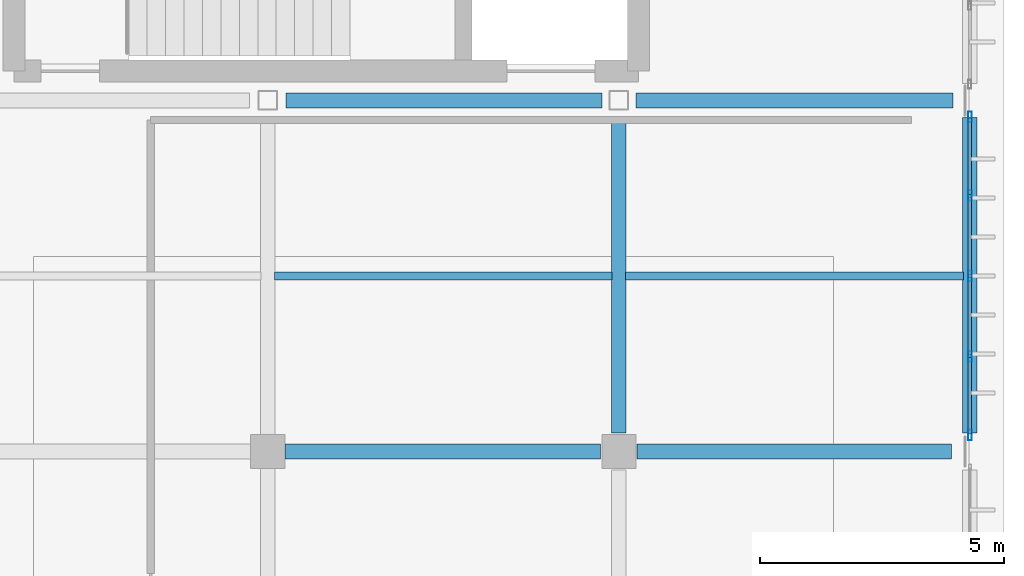
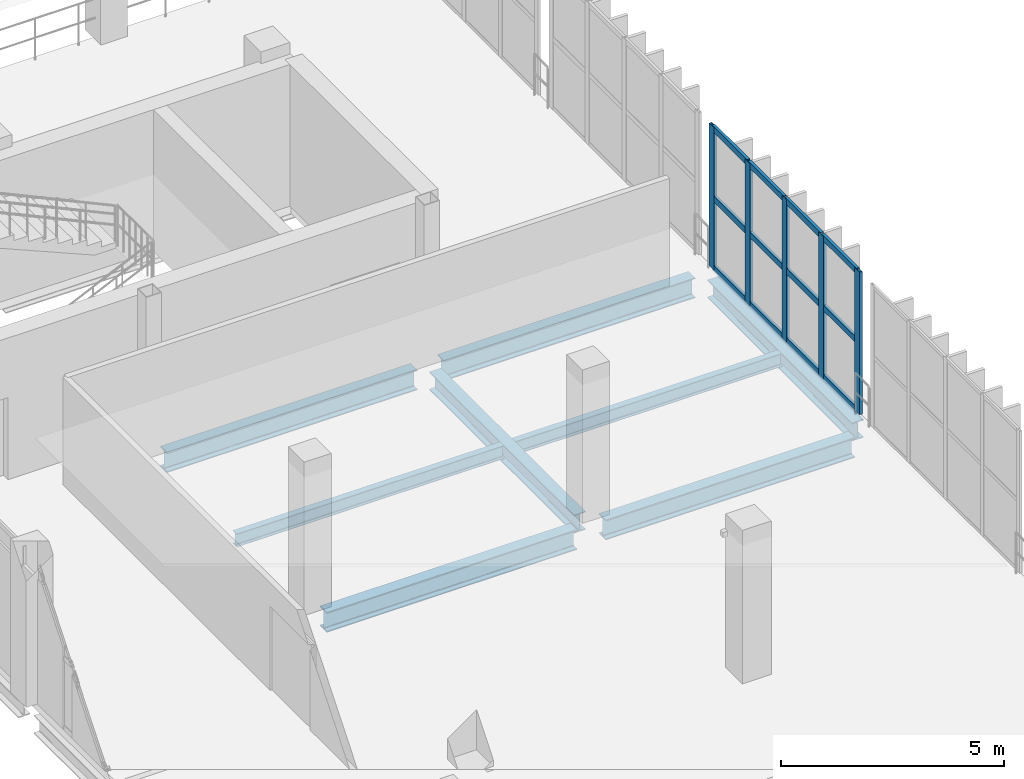
# One storey, part 80 of 130: 17 members, 8 beams, 1 element without a shape of its own.
"""IFC4 building model written with IfcOpenShell, lengths in metres."""

from ifc_helpers import new_model, si_unit, direction, frame, origin, origin_2d, place, context, subcontext, project, spatial, hollow_rectangle, i_section, extrude, material, material_profile, profile_set, type_object, element, aggregate, save


model = new_model("IFC4")

# Units and contexts
model_context = context("Model", 3, precision=1e-05, world=origin(), true_north=direction((0.0, 1.0)))
body_context = subcontext(model_context, "Body", "Model", "MODEL_VIEW")
ifc_project = project(units=[si_unit("LENGTHUNIT", "METRE"), si_unit("AREAUNIT", "SQUARE_METRE"), si_unit("VOLUMEUNIT", "CUBIC_METRE"), si_unit("PLANEANGLEUNIT", "RADIAN"), si_unit("MASSUNIT", "GRAM", prefix="KILO")], contexts=[model_context])

# Site, building, storey
site_placement = place(None, origin())
site = spatial("IfcSite", under=ifc_project, at=site_placement, CompositionType="ELEMENT")
building_placement = place(site_placement, origin())
building = spatial("IfcBuilding", under=site, at=building_placement, Name="Qandorah Velis Arena", CompositionType="ELEMENT")
storey_placement = place(building_placement, frame((0.0, 0.0, 9.60009765625)))
storey = spatial("IfcBuildingStorey", under=building, at=storey_placement, Name="L02", CompositionType="ELEMENT", Elevation=9.60009765625)

# Curtain wall, members
ifc_material_1 = material(Name="Solar-control low-E double glazing", Category="glass")
curtain_wall_type = type_object("IfcCurtainWallType", Name="ARC-CW-SYS05", PredefinedType="USERDEFINED", material=ifc_material_1)
curtain_wall_placement = place(storey_placement, origin())
curtain_wall = element("IfcCurtainWall", 1, at=curtain_wall_placement, inside=storey, type_object=curtain_wall_type, Name="Unitised curtain wall L02-149", ObjectType="UNITISED CURTAIN WALL", PredefinedType="USERDEFINED")
ifc_material_2 = material(Name="Champagne-bronze anodized aluminium 6063-T6", Category="aluminium")
ifc_material_profile_1 = material_profile(ifc_material_2, hollow_rectangle(XDim=0.074951171875, YDim=0.219970703125, WallThickness=0.00390625, at=origin_2d()), Name="ALU MULLION 75x220")
ifc_profile_set_1 = profile_set([ifc_material_profile_1], Name="Champagne-bronze anodized aluminium 6063-T6")
member_type_1 = type_object("IfcMemberType", Name="ARC-CWM-220", PredefinedType="MULLION", material=ifc_profile_set_1)
member_1_placement = place(storey_placement, frame((172.800048828125, 72.33740234375, -0.01513671875), z_axis=(0.0, 0.0, 1.0), x_axis=(-1.0, 0.0, 0.0)))
member_1 = element("IfcMember", 2, at=member_1_placement, type_object=member_type_1, Name="CW05 mullion 1", PredefinedType="MULLION", context=body_context, shape_type="SweptSolid", body=[
    extrude(hollow_rectangle(XDim=0.074951171875, YDim=0.219970703125, WallThickness=0.00390625, at=origin_2d()), origin(), (0.0, 0.0, 1.0), 3.91015625),
])
member_2_placement = place(storey_placement, frame((172.800048828125, 73.949951171875, -0.01513671875), z_axis=(0.0, 0.0, 1.0), x_axis=(-1.0, 0.0, 0.0)))
member_2 = element("IfcMember", 3, at=member_2_placement, type_object=member_type_1, Name="CW05 mullion 2", PredefinedType="MULLION", context=body_context, shape_type="SweptSolid", body=[
    extrude(hollow_rectangle(XDim=0.074951171875, YDim=0.219970703125, WallThickness=0.00390625, at=origin_2d()), origin(), (0.0, 0.0, 1.0), 3.91015625),
])
member_3_placement = place(storey_placement, frame((172.800048828125, 75.60009765625, -0.01513671875), z_axis=(0.0, 0.0, 1.0), x_axis=(-1.0, 0.0, 0.0)))
member_3 = element("IfcMember", 4, at=member_3_placement, type_object=member_type_1, Name="CW05 mullion 3", PredefinedType="MULLION", context=body_context, shape_type="SweptSolid", body=[
    extrude(hollow_rectangle(XDim=0.074951171875, YDim=0.219970703125, WallThickness=0.00390625, at=origin_2d()), origin(), (0.0, 0.0, 1.0), 3.91015625),
])
member_4_placement = place(storey_placement, frame((172.800048828125, 77.25, -0.01513671875), z_axis=(0.0, 0.0, 1.0), x_axis=(-1.0, 0.0, 0.0)))
member_4 = element("IfcMember", 5, at=member_4_placement, type_object=member_type_1, Name="CW05 mullion 4", PredefinedType="MULLION", context=body_context, shape_type="SweptSolid", body=[
    extrude(hollow_rectangle(XDim=0.074951171875, YDim=0.219970703125, WallThickness=0.00390625, at=origin_2d()), origin(), (0.0, 0.0, 1.0), 3.91015625),
])
member_5_placement = place(storey_placement, frame((172.800048828125, 78.862548828125, -0.01513671875), z_axis=(0.0, 0.0, 1.0), x_axis=(-1.0, 0.0, 0.0)))
member_5 = element("IfcMember", 6, at=member_5_placement, type_object=member_type_1, Name="CW05 mullion 5", PredefinedType="MULLION", context=body_context, shape_type="SweptSolid", body=[
    extrude(hollow_rectangle(XDim=0.074951171875, YDim=0.219970703125, WallThickness=0.00390625, at=origin_2d()), origin(), (0.0, 0.0, 1.0), 3.91015625),
])
ifc_material_profile_2 = material_profile(ifc_material_2, hollow_rectangle(XDim=0.074951171875, YDim=0.159912109375, WallThickness=0.00341796875, at=origin_2d()), Name="ALU TRANSOM 75x160")
ifc_profile_set_2 = profile_set([ifc_material_profile_2], Name="Champagne-bronze anodized aluminium 6063-T6")
member_type_2 = type_object("IfcMemberType", Name="ARC-CWT-160", PredefinedType="USERDEFINED", material=ifc_profile_set_2)
member_6_placement = place(storey_placement, frame((172.800048828125, 72.363037109375, 0.037353515625), z_axis=(0.0, 1.0, 0.0), x_axis=(-1.0, 0.0, 0.0)))
member_6 = element("IfcMember", 7, at=member_6_placement, type_object=member_type_2, Name="CW05 transom 1.1", ObjectType="TRANSOM", PredefinedType="USERDEFINED", context=body_context, shape_type="SweptSolid", body=[
    extrude(hollow_rectangle(XDim=0.074951171875, YDim=0.159912109375, WallThickness=0.00341796875, at=origin_2d()), origin(), (0.0, 0.0, 1.0), 1.5615234375),
])
member_7_placement = place(storey_placement, frame((172.800048828125, 72.363037109375, 1.93994140625), z_axis=(0.0, 1.0, 0.0), x_axis=(-1.0, 0.0, 0.0)))
member_7 = element("IfcMember", 8, at=member_7_placement, type_object=member_type_2, Name="CW05 transom 1.2", ObjectType="TRANSOM", PredefinedType="USERDEFINED", context=body_context, shape_type="SweptSolid", body=[
    extrude(hollow_rectangle(XDim=0.074951171875, YDim=0.159912109375, WallThickness=0.00341796875, at=origin_2d()), origin(), (0.0, 0.0, 1.0), 1.5615234375),
])
member_8_placement = place(storey_placement, frame((172.800048828125, 72.363037109375, 3.84228515625), z_axis=(0.0, 1.0, 0.0), x_axis=(-1.0, 0.0, 0.0)))
member_8 = element("IfcMember", 9, at=member_8_placement, type_object=member_type_2, Name="CW05 transom 1.3", ObjectType="TRANSOM", PredefinedType="USERDEFINED", context=body_context, shape_type="SweptSolid", body=[
    extrude(hollow_rectangle(XDim=0.074951171875, YDim=0.159912109375, WallThickness=0.00341796875, at=origin_2d()), origin(), (0.0, 0.0, 1.0), 1.5615234375),
])
member_9_placement = place(storey_placement, frame((172.800048828125, 73.9755859375, 0.037353515625), z_axis=(0.0, 1.0, 0.0), x_axis=(-1.0, 0.0, 0.0)))
member_9 = element("IfcMember", 10, at=member_9_placement, type_object=member_type_2, Name="CW05 transom 2.1", ObjectType="TRANSOM", PredefinedType="USERDEFINED", context=body_context, shape_type="SweptSolid", body=[
    extrude(hollow_rectangle(XDim=0.074951171875, YDim=0.159912109375, WallThickness=0.00341796875, at=origin_2d()), origin(), (0.0, 0.0, 1.0), 1.598876953125),
])
member_10_placement = place(storey_placement, frame((172.800048828125, 73.9755859375, 1.93994140625), z_axis=(0.0, 1.0, 0.0), x_axis=(-1.0, 0.0, 0.0)))
member_10 = element("IfcMember", 11, at=member_10_placement, type_object=member_type_2, Name="CW05 transom 2.2", ObjectType="TRANSOM", PredefinedType="USERDEFINED", context=body_context, shape_type="SweptSolid", body=[
    extrude(hollow_rectangle(XDim=0.074951171875, YDim=0.159912109375, WallThickness=0.00341796875, at=origin_2d()), origin(), (0.0, 0.0, 1.0), 1.598876953125),
])
member_11_placement = place(storey_placement, frame((172.800048828125, 73.9755859375, 3.84228515625), z_axis=(0.0, 1.0, 0.0), x_axis=(-1.0, 0.0, 0.0)))
member_11 = element("IfcMember", 12, at=member_11_placement, type_object=member_type_2, Name="CW05 transom 2.3", ObjectType="TRANSOM", PredefinedType="USERDEFINED", context=body_context, shape_type="SweptSolid", body=[
    extrude(hollow_rectangle(XDim=0.074951171875, YDim=0.159912109375, WallThickness=0.00341796875, at=origin_2d()), origin(), (0.0, 0.0, 1.0), 1.598876953125),
])
member_12_placement = place(storey_placement, frame((172.800048828125, 75.62548828125, 0.037353515625), z_axis=(0.0, 1.0, 0.0), x_axis=(-1.0, 0.0, 0.0)))
member_12 = element("IfcMember", 13, at=member_12_placement, type_object=member_type_2, Name="CW05 transom 3.1", ObjectType="TRANSOM", PredefinedType="USERDEFINED", context=body_context, shape_type="SweptSolid", body=[
    extrude(hollow_rectangle(XDim=0.074951171875, YDim=0.159912109375, WallThickness=0.00341796875, at=origin_2d()), origin(), (0.0, 0.0, 1.0), 1.59912109375),
])
member_13_placement = place(storey_placement, frame((172.800048828125, 75.62548828125, 1.93994140625), z_axis=(0.0, 1.0, 0.0), x_axis=(-1.0, 0.0, 0.0)))
member_13 = element("IfcMember", 14, at=member_13_placement, type_object=member_type_2, Name="CW05 transom 3.2", ObjectType="TRANSOM", PredefinedType="USERDEFINED", context=body_context, shape_type="SweptSolid", body=[
    extrude(hollow_rectangle(XDim=0.074951171875, YDim=0.159912109375, WallThickness=0.00341796875, at=origin_2d()), origin(), (0.0, 0.0, 1.0), 1.59912109375),
])
member_14_placement = place(storey_placement, frame((172.800048828125, 75.62548828125, 3.84228515625), z_axis=(0.0, 1.0, 0.0), x_axis=(-1.0, 0.0, 0.0)))
member_14 = element("IfcMember", 15, at=member_14_placement, type_object=member_type_2, Name="CW05 transom 3.3", ObjectType="TRANSOM", PredefinedType="USERDEFINED", context=body_context, shape_type="SweptSolid", body=[
    extrude(hollow_rectangle(XDim=0.074951171875, YDim=0.159912109375, WallThickness=0.00341796875, at=origin_2d()), origin(), (0.0, 0.0, 1.0), 1.59912109375),
])
member_15_placement = place(storey_placement, frame((172.800048828125, 77.275390625, 0.037353515625), z_axis=(0.0, 1.0, 0.0), x_axis=(-1.0, 0.0, 0.0)))
member_15 = element("IfcMember", 16, at=member_15_placement, type_object=member_type_2, Name="CW05 transom 4.1", ObjectType="TRANSOM", PredefinedType="USERDEFINED", context=body_context, shape_type="SweptSolid", body=[
    extrude(hollow_rectangle(XDim=0.074951171875, YDim=0.159912109375, WallThickness=0.00341796875, at=origin_2d()), origin(), (0.0, 0.0, 1.0), 1.5615234375),
])
member_16_placement = place(storey_placement, frame((172.800048828125, 77.275390625, 1.93994140625), z_axis=(0.0, 1.0, 0.0), x_axis=(-1.0, 0.0, 0.0)))
member_16 = element("IfcMember", 17, at=member_16_placement, type_object=member_type_2, Name="CW05 transom 4.2", ObjectType="TRANSOM", PredefinedType="USERDEFINED", context=body_context, shape_type="SweptSolid", body=[
    extrude(hollow_rectangle(XDim=0.074951171875, YDim=0.159912109375, WallThickness=0.00341796875, at=origin_2d()), origin(), (0.0, 0.0, 1.0), 1.5615234375),
])
member_17_placement = place(storey_placement, frame((172.800048828125, 77.275390625, 3.84228515625), z_axis=(0.0, 1.0, 0.0), x_axis=(-1.0, 0.0, 0.0)))
member_17 = element("IfcMember", 18, at=member_17_placement, type_object=member_type_2, Name="CW05 transom 4.3", ObjectType="TRANSOM", PredefinedType="USERDEFINED", context=body_context, shape_type="SweptSolid", body=[
    extrude(hollow_rectangle(XDim=0.074951171875, YDim=0.159912109375, WallThickness=0.00341796875, at=origin_2d()), origin(), (0.0, 0.0, 1.0), 1.5615234375),
])
aggregate(curtain_wall, [member_1, member_2, member_3, member_4, member_5, member_6, member_7, member_8, member_9, member_10, member_11, member_12, member_13, member_14, member_15, member_16, member_17])

# Beams
ifc_material_3 = material(Name="Steel S355", Category="steel")
ifc_material_profile_3 = material_profile(ifc_material_3, i_section(OverallWidth=0.300048828125, OverallDepth=0.5, WebThickness=0.014404296875, FlangeThickness=0.028076171875, FilletRadius=0.027099609375, at=origin_2d()), Name="HEB 500")
ifc_profile_set_3 = profile_set([ifc_material_profile_3], Name="Steel S355")
beam_type_1 = type_object("IfcBeamType", Name="STR-BM-HEB500", PredefinedType="BEAM", material=ifc_profile_set_3)
for number, where, z_axis, x_axis, name in (
    (19, (165.60009765625, 72.375, -0.530029296875), (0.0, 1.0, 0.0), (-1.0, 0.0, 0.0), "Primary floor girder L02 Y-343"),
    (20, (172.800048828125, 72.375, -0.530029296875), (0.0, 1.0, 0.0), (-1.0, 0.0, 0.0), "Primary floor girder L02 Y-349"),
):
    element("IfcBeam", number, at=place(storey_placement, frame(where, z_axis=z_axis, x_axis=x_axis)), inside=storey, type_object=beam_type_1, Name=name, PredefinedType="BEAM", context=body_context, shape_type="SweptSolid", body=[
        extrude(i_section(OverallWidth=0.300048828125, OverallDepth=0.5, WebThickness=0.014404296875, FlangeThickness=0.028076171875, FilletRadius=0.027099609375, at=origin_2d()), origin(), (0.0, 0.0, 1.0), 6.47509765625),
    ])
ifc_material_profile_4 = material_profile(ifc_material_3, i_section(OverallWidth=0.300048828125, OverallDepth=0.550048828125, WebThickness=0.014892578125, FlangeThickness=0.029052734375, FilletRadius=0.027099609375, at=origin_2d()), Name="HEB 550")
ifc_profile_set_4 = profile_set([ifc_material_profile_4], Name="Steel S355")
beam_type_2 = type_object("IfcBeamType", Name="STR-BM-HEB550", PredefinedType="BEAM", material=ifc_profile_set_4)
beam_1_placement = place(storey_placement, frame((158.75, 72.0, -0.55517578125), z_axis=(1.0, 0.0, 0.0), x_axis=(0.0, 1.0, 0.0)))
element("IfcBeam", 21, at=beam_1_placement, inside=storey, type_object=beam_type_2, Name="Primary floor girder L02 X-102", PredefinedType="BEAM", context=body_context, shape_type="SweptSolid", body=[
    extrude(i_section(OverallWidth=0.300048828125, OverallDepth=0.550048828125, WebThickness=0.014892578125, FlangeThickness=0.029052734375, FilletRadius=0.027099609375, at=origin_2d()), origin(), (0.0, 0.0, 1.0), 6.47509765625),
])
beam_2_placement = place(storey_placement, frame((165.97509765625, 72.0, -0.55517578125), z_axis=(1.0, 0.0, 0.0), x_axis=(0.0, 1.0, 0.0)))
element("IfcBeam", 22, at=beam_2_placement, inside=storey, type_object=beam_type_2, Name="Primary floor girder L02 X-103", PredefinedType="BEAM", context=body_context, shape_type="SweptSolid", body=[
    extrude(i_section(OverallWidth=0.300048828125, OverallDepth=0.550048828125, WebThickness=0.014892578125, FlangeThickness=0.029052734375, FilletRadius=0.027099609375, at=origin_2d()), origin(), (0.0, 0.0, 1.0), 6.449951171875),
])
beam_3_placement = place(storey_placement, frame((158.77490234375, 79.199951171875, -0.55517578125), z_axis=(1.0, 0.0, 0.0), x_axis=(0.0, 1.0, 0.0)))
element("IfcBeam", 23, at=beam_3_placement, inside=storey, type_object=beam_type_2, Name="Primary floor girder L02 X-108", PredefinedType="BEAM", context=body_context, shape_type="SweptSolid", body=[
    extrude(i_section(OverallWidth=0.300048828125, OverallDepth=0.550048828125, WebThickness=0.014892578125, FlangeThickness=0.029052734375, FilletRadius=0.027099609375, at=origin_2d()), origin(), (0.0, 0.0, 1.0), 6.47509765625),
])
beam_4_placement = place(storey_placement, frame((165.949951171875, 79.199951171875, -0.55517578125), z_axis=(1.0, 0.0, 0.0), x_axis=(0.0, 1.0, 0.0)))
element("IfcBeam", 24, at=beam_4_placement, inside=storey, type_object=beam_type_2, Name="Primary floor girder L02 X-109", PredefinedType="BEAM", context=body_context, shape_type="SweptSolid", body=[
    extrude(i_section(OverallWidth=0.300048828125, OverallDepth=0.550048828125, WebThickness=0.014892578125, FlangeThickness=0.029052734375, FilletRadius=0.027099609375, at=origin_2d()), origin(), (0.0, 0.0, 1.0), 6.5),
])
ifc_material_profile_5 = material_profile(ifc_material_3, i_section(OverallWidth=0.169921875, OverallDepth=0.360107421875, WebThickness=0.008056640625, FlangeThickness=0.0126953125, FilletRadius=0.01806640625, at=origin_2d()), Name="IPE 360")
ifc_profile_set_5 = profile_set([ifc_material_profile_5], Name="Steel S355")
beam_type_3 = type_object("IfcBeamType", Name="STR-JST-IPE360", PredefinedType="JOIST", material=ifc_profile_set_5)
beam_5_placement = place(storey_placement, frame((158.534912109375, 75.60009765625, -0.460205078125), z_axis=(1.0, 0.0, 0.0), x_axis=(0.0, 1.0, 0.0)))
element("IfcBeam", 25, at=beam_5_placement, inside=storey, type_object=beam_type_3, Name="Secondary floor joist L02-103", PredefinedType="JOIST", context=body_context, shape_type="SweptSolid", body=[
    extrude(i_section(OverallWidth=0.169921875, OverallDepth=0.360107421875, WebThickness=0.008056640625, FlangeThickness=0.0126953125, FilletRadius=0.01806640625, at=origin_2d()), origin(), (0.0, 0.0, 1.0), 6.93017578125),
])
beam_6_placement = place(storey_placement, frame((165.735107421875, 75.60009765625, -0.460205078125), z_axis=(1.0, 0.0, 0.0), x_axis=(0.0, 1.0, 0.0)))
element("IfcBeam", 26, at=beam_6_placement, inside=storey, type_object=beam_type_3, Name="Secondary floor joist L02-106", PredefinedType="JOIST", context=body_context, shape_type="SweptSolid", body=[
    extrude(i_section(OverallWidth=0.169921875, OverallDepth=0.360107421875, WebThickness=0.008056640625, FlangeThickness=0.0126953125, FilletRadius=0.01806640625, at=origin_2d()), origin(), (0.0, 0.0, 1.0), 6.929931640625),
])

save(model, "model.ifc")
